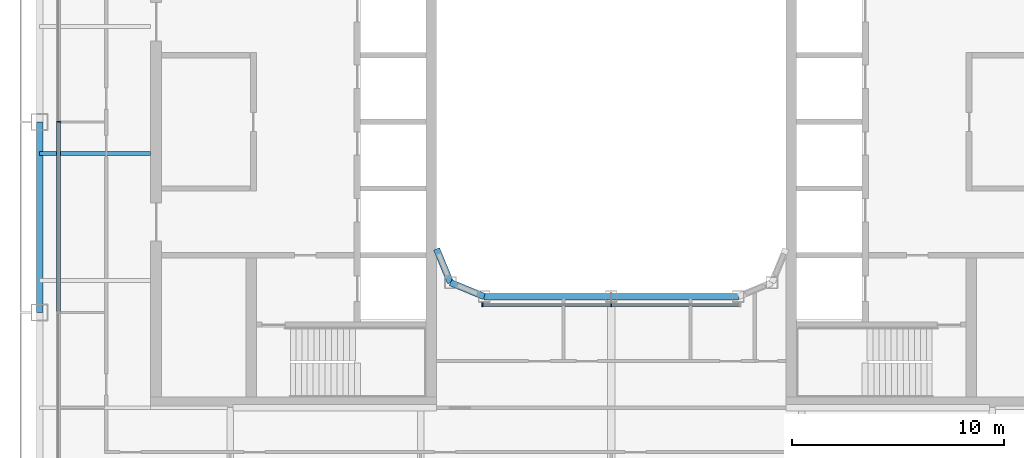
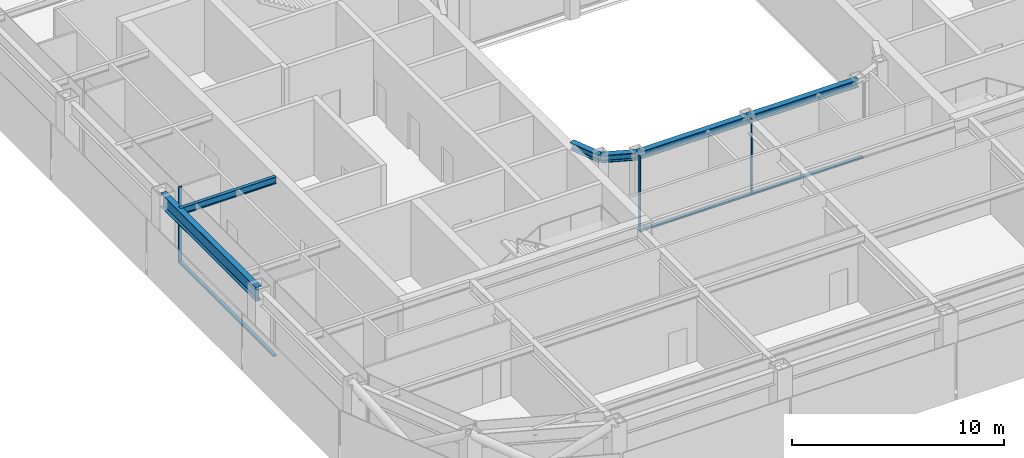
# One storey, part 3 of 23: 6 beams, 6 members, 2 elements without a shape of their own.
"""IFC4 building model written with IfcOpenShell, lengths in metres."""

from ifc_helpers import new_model, si_unit, direction, frame, origin, origin_2d, place, context, subcontext, project, spatial, rectangle, i_section, extrude, material, layer, layer_set, material_profile, profile_set, type_object, element, aggregate, save


model = new_model("IFC4")

# Units and contexts
model_context = context("Model", 3, precision=1e-05, world=origin(), true_north=direction((0.0, 1.0)))
body_context = subcontext(model_context, "Body", "Model", "MODEL_VIEW")
ifc_project = project(units=[si_unit("LENGTHUNIT", "METRE"), si_unit("AREAUNIT", "SQUARE_METRE"), si_unit("VOLUMEUNIT", "CUBIC_METRE"), si_unit("PLANEANGLEUNIT", "RADIAN"), si_unit("MASSUNIT", "GRAM", prefix="KILO")], contexts=[model_context])

# Site, building, storey
site_placement = place(None, origin())
site = spatial("IfcSite", under=ifc_project, at=site_placement, CompositionType="ELEMENT")
building_placement = place(site_placement, origin())
building = spatial("IfcBuilding", under=site, at=building_placement, Name="Siwar Civic Tower", CompositionType="ELEMENT")
storey_placement = place(building_placement, frame((0.0, 0.0, 237.699951171875)))
storey = spatial("IfcBuildingStorey", under=building, at=storey_placement, Name="L51", CompositionType="ELEMENT", Elevation=237.699951171875)

# Curtain wall, member
ifc_material_1 = material(Name="Aluminium and glass", Category="aluminium")
ifc_layer_1 = layer(ifc_material_1, 0.179931640625)
ifc_layer_set_1 = layer_set([ifc_layer_1], Name="Aluminium and glass")
curtain_wall_type_1 = type_object("IfcCurtainWallType", Name="ENV-CW-C", PredefinedType="NOTDEFINED", material=ifc_layer_set_1)
curtain_wall_1_placement = place(storey_placement, origin())
curtain_wall_1 = element("IfcCurtainWall", 1, at=curtain_wall_1_placement, inside=storey, type_object=curtain_wall_type_1, Name="Curtain wall C W", PredefinedType="NOTDEFINED")
ifc_material_2 = material(Name="Aluminium 6063-T6", Category="aluminium")
ifc_material_profile_1 = material_profile(ifc_material_2, rectangle(XDim=0.179931640625, YDim=0.06005859375, at=origin_2d()), Name="AL 180x60")
ifc_profile_set_1 = profile_set([ifc_material_profile_1], Name="Aluminium 6063-T6")
member_type_1 = type_object("IfcMemberType", Name="ENV-MULLION-C", PredefinedType="MULLION", material=ifc_profile_set_1)
member_1_placement = place(storey_placement, frame((-26.10009765625, 0.0, 0.0), z_axis=(0.0, 0.0, 1.0), x_axis=(1.0, 0.0, 0.0)))
member_1 = element("IfcMember", 2, at=member_1_placement, type_object=member_type_1, Name="Mullion C W 3", PredefinedType="MULLION", context=body_context, shape_type="SweptSolid", body=[
    extrude(rectangle(XDim=0.179931640625, YDim=0.06005859375, at=origin_2d()), origin(), (0.0, 0.0, 1.0), 4.35009765625),
])

# Curtain wall, members
ifc_material_3 = material(Name="Aluminium and glass", Category="aluminium")
ifc_layer_2 = layer(ifc_material_3, 0.179931640625)
ifc_layer_set_2 = layer_set([ifc_layer_2], Name="Aluminium and glass")
curtain_wall_type_2 = type_object("IfcCurtainWallType", Name="ENV-CW-W", PredefinedType="NOTDEFINED", material=ifc_layer_set_2)
curtain_wall_2_placement = place(storey_placement, origin())
curtain_wall_2 = element("IfcCurtainWall", 3, at=curtain_wall_2_placement, inside=storey, type_object=curtain_wall_type_2, Name="Curtain wall W WS", PredefinedType="NOTDEFINED")
ifc_material_4 = material(Name="Aluminium 6063-T6", Category="aluminium")
ifc_material_profile_2 = material_profile(ifc_material_4, rectangle(XDim=0.179931640625, YDim=0.06005859375, at=origin_2d()), Name="AL 180x60")
ifc_profile_set_2 = profile_set([ifc_material_profile_2], Name="Aluminium 6063-T6")
member_type_2 = type_object("IfcMemberType", Name="ENV-MULLION-W", PredefinedType="MULLION", material=ifc_profile_set_2)
member_2_placement = place(storey_placement, frame((-6.07666015625, -8.635009765625, 0.0), z_axis=(0.0, 0.0, 1.0), x_axis=(0.0, 1.0, 0.0)))
member_2 = element("IfcMember", 4, at=member_2_placement, type_object=member_type_2, Name="Mullion W WS 1", PredefinedType="MULLION", context=body_context, shape_type="SweptSolid", body=[
    extrude(rectangle(XDim=0.179931640625, YDim=0.06005859375, at=origin_2d()), origin(), (0.0, 0.0, 1.0), 4.35009765625),
])
member_3_placement = place(storey_placement, frame((0.0, -8.635009765625, 0.0), z_axis=(0.0, 0.0, 1.0), x_axis=(0.0, 1.0, 0.0)))
member_3 = element("IfcMember", 5, at=member_3_placement, type_object=member_type_2, Name="Mullion W WS 2", PredefinedType="MULLION", context=body_context, shape_type="SweptSolid", body=[
    extrude(rectangle(XDim=0.179931640625, YDim=0.06005859375, at=origin_2d()), origin(), (0.0, 0.0, 1.0), 4.35009765625),
])

# Member
ifc_material_5 = material(Name="Aluminium 6063-T6", Category="aluminium")
ifc_material_profile_3 = material_profile(ifc_material_5, rectangle(XDim=0.179931640625, YDim=0.10009765625, at=origin_2d()), Name="AL 180x100")
ifc_profile_set_3 = profile_set([ifc_material_profile_3], Name="Aluminium 6063-T6")
member_type_3 = type_object("IfcMemberType", Name="ENV-TRANSOM-C", PredefinedType="USERDEFINED", material=ifc_profile_set_3)
member_4_placement = place(storey_placement, frame((-26.10009765625, -0.030029296875, 0.050048828125), z_axis=(0.0, -1.0, 0.0), x_axis=(1.0, 0.0, 0.0)))
member_4 = element("IfcMember", 6, at=member_4_placement, type_object=member_type_3, Name="Transom C W 3", ObjectType="TRANSOM", PredefinedType="USERDEFINED", context=body_context, shape_type="SweptSolid", body=[
    extrude(rectangle(XDim=0.179931640625, YDim=0.10009765625, at=origin_2d()), origin(), (0.0, 0.0, 1.0), 8.93994140625),
])

aggregate(curtain_wall_1, [member_1, member_4])

ifc_material_6 = material(Name="Aluminium 6063-T6", Category="aluminium")
ifc_material_profile_4 = material_profile(ifc_material_6, rectangle(XDim=0.179931640625, YDim=0.10009765625, at=origin_2d()), Name="AL 180x100")
ifc_profile_set_4 = profile_set([ifc_material_profile_4], Name="Aluminium 6063-T6")
member_type_4 = type_object("IfcMemberType", Name="ENV-TRANSOM-W", PredefinedType="USERDEFINED", material=ifc_profile_set_4)
member_5_placement = place(storey_placement, frame((-6.046630859375, -8.635009765625, 0.050048828125), z_axis=(1.0, 0.0, 0.0), x_axis=(0.0, 1.0, 0.0)))
member_5 = element("IfcMember", 7, at=member_5_placement, type_object=member_type_4, Name="Transom W WS 1", ObjectType="TRANSOM", PredefinedType="USERDEFINED", context=body_context, shape_type="SweptSolid", body=[
    extrude(rectangle(XDim=0.179931640625, YDim=0.10009765625, at=origin_2d()), origin(), (0.0, 0.0, 1.0), 6.0166015625),
])

member_6_placement = place(storey_placement, frame((0.030029296875, -8.635009765625, 0.050048828125), z_axis=(1.0, 0.0, 0.0), x_axis=(0.0, 1.0, 0.0)))
member_6 = element("IfcMember", 8, at=member_6_placement, type_object=member_type_4, Name="Transom W WS 2", ObjectType="TRANSOM", PredefinedType="USERDEFINED", context=body_context, shape_type="SweptSolid", body=[
    extrude(rectangle(XDim=0.179931640625, YDim=0.10009765625, at=origin_2d()), origin(), (0.0, 0.0, 1.0), 6.0166015625),
])

aggregate(curtain_wall_2, [member_2, member_3, member_5, member_6])

# Beams
ifc_material_7 = material(Name="Steel S355", Category="steel")
ifc_material_profile_5 = material_profile(ifc_material_7, i_section(OverallWidth=0.179931640625, OverallDepth=0.39990234375, WebThickness=0.008544921875, FlangeThickness=0.013427734375, FilletRadius=0.02099609375, at=origin_2d()), Name="IPE400")
ifc_profile_set_5 = profile_set([ifc_material_profile_5], Name="Steel S355")
beam_type_1 = type_object("IfcBeamType", Name="STR-FB-IPE400", PredefinedType="JOIST", material=ifc_profile_set_5)
beam_1_placement = place(storey_placement, frame((-27.0, -1.5, 4.150146484375), z_axis=(1.0, 0.0, 0.0), x_axis=(0.0, 1.0, 0.0)))
element("IfcBeam", 9, at=beam_1_placement, inside=storey, type_object=beam_type_1, Name="L51/bm/F023", PredefinedType="JOIST", context=body_context, shape_type="SweptSolid", body=[
    extrude(i_section(OverallWidth=0.179931640625, OverallDepth=0.39990234375, WebThickness=0.008544921875, FlangeThickness=0.013427734375, FilletRadius=0.02099609375, at=origin_2d()), origin(), (0.0, 0.0, 1.0), 5.25),
])
ifc_material_8 = material(Name="Steel S355", Category="steel")
ifc_material_profile_6 = material_profile(ifc_material_8, i_section(OverallWidth=0.306884765625, OverallDepth=0.431884765625, WebThickness=0.02099609375, FlangeThickness=0.0400390625, FilletRadius=0.027099609375, at=origin_2d()), Name="HEM400")
ifc_profile_set_6 = profile_set([ifc_material_profile_6], Name="Steel S355")
beam_type_2 = type_object("IfcBeamType", Name="STR-RB-HEM400", PredefinedType="BEAM", material=ifc_profile_set_6)
beam_2_placement = place(storey_placement, frame((-7.591064453125, -7.591064453125, 4.134033203125), z_axis=(0.923901072997, -0.382631424892, 0.0), x_axis=(0.382631424892, 0.923901072997, 0.0)))
element("IfcBeam", 10, at=beam_2_placement, inside=storey, type_object=beam_type_2, Name="L51/bm/RS0", PredefinedType="BEAM", context=body_context, shape_type="SweptSolid", body=[
    extrude(i_section(OverallWidth=0.306884765625, OverallDepth=0.431884765625, WebThickness=0.02099609375, FlangeThickness=0.0400390625, FilletRadius=0.027099609375, at=origin_2d()), origin(), (0.0, 0.0, 1.0), 1.72216796875),
])
for number, where, z_axis, x_axis, name in (
    (11, (-6.0, -8.25, 4.134033203125), (1.0, 0.0, 0.0), (0.0, 1.0, 0.0), "L51/bm/RS1"),
    (12, (0.0, -8.25, 4.134033203125), (1.0, 0.0, 0.0), (0.0, 1.0, 0.0), "L51/bm/RS2"),
):
    element("IfcBeam", number, at=place(storey_placement, frame(where, z_axis=z_axis, x_axis=x_axis)), inside=storey, type_object=beam_type_2, Name=name, PredefinedType="BEAM", context=body_context, shape_type="SweptSolid", body=[
        extrude(i_section(OverallWidth=0.306884765625, OverallDepth=0.431884765625, WebThickness=0.02099609375, FlangeThickness=0.0400390625, FilletRadius=0.027099609375, at=origin_2d()), origin(), (0.0, 0.0, 1.0), 6.0),
    ])
beam_3_placement = place(storey_placement, frame((-7.591064453125, -7.591064453125, 4.134033203125), z_axis=(-0.382631424892, 0.923901072997, 0.0), x_axis=(-0.923901072997, -0.382631424892, 0.0)))
element("IfcBeam", 13, at=beam_3_placement, inside=storey, type_object=beam_type_2, Name="L51/bm/RSEW", PredefinedType="BEAM", context=body_context, shape_type="SweptSolid", body=[
    extrude(i_section(OverallWidth=0.306884765625, OverallDepth=0.431884765625, WebThickness=0.02099609375, FlangeThickness=0.0400390625, FilletRadius=0.027099609375, at=origin_2d()), origin(), (0.0, 0.0, 1.0), 1.72216796875),
])
ifc_material_9 = material(Name="Steel S355", Category="steel")
ifc_material_profile_7 = material_profile(ifc_material_9, i_section(OverallWidth=0.300048828125, OverallDepth=0.800048828125, WebThickness=0.017578125, FlangeThickness=0.032958984375, FilletRadius=0.030029296875, at=origin_2d()), Name="HEB800")
ifc_profile_set_7 = profile_set([ifc_material_profile_7], Name="Steel S355")
beam_type_3 = type_object("IfcBeamType", Name="STR-SB-HEB800", PredefinedType="BEAM", material=ifc_profile_set_7)
beam_4_placement = place(storey_placement, frame((-27.0, 0.0, 3.949951171875), z_axis=(0.0, -1.0, 0.0), x_axis=(1.0, 0.0, 0.0)))
element("IfcBeam", 14, at=beam_4_placement, inside=storey, type_object=beam_type_3, Name="L51/bm/SW-2", PredefinedType="BEAM", context=body_context, shape_type="SweptSolid", body=[
    extrude(i_section(OverallWidth=0.300048828125, OverallDepth=0.800048828125, WebThickness=0.017578125, FlangeThickness=0.032958984375, FilletRadius=0.030029296875, at=origin_2d()), origin(), (0.0, 0.0, 1.0), 9.0),
])

save(model, "model.ifc")
